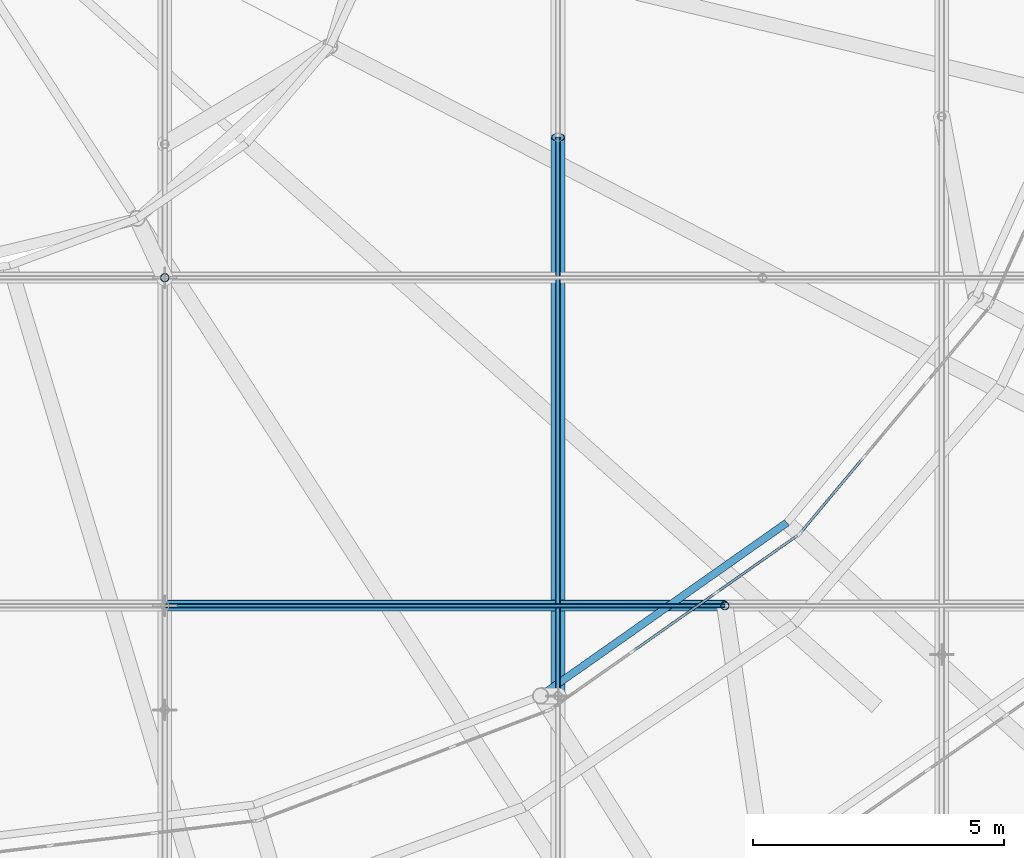
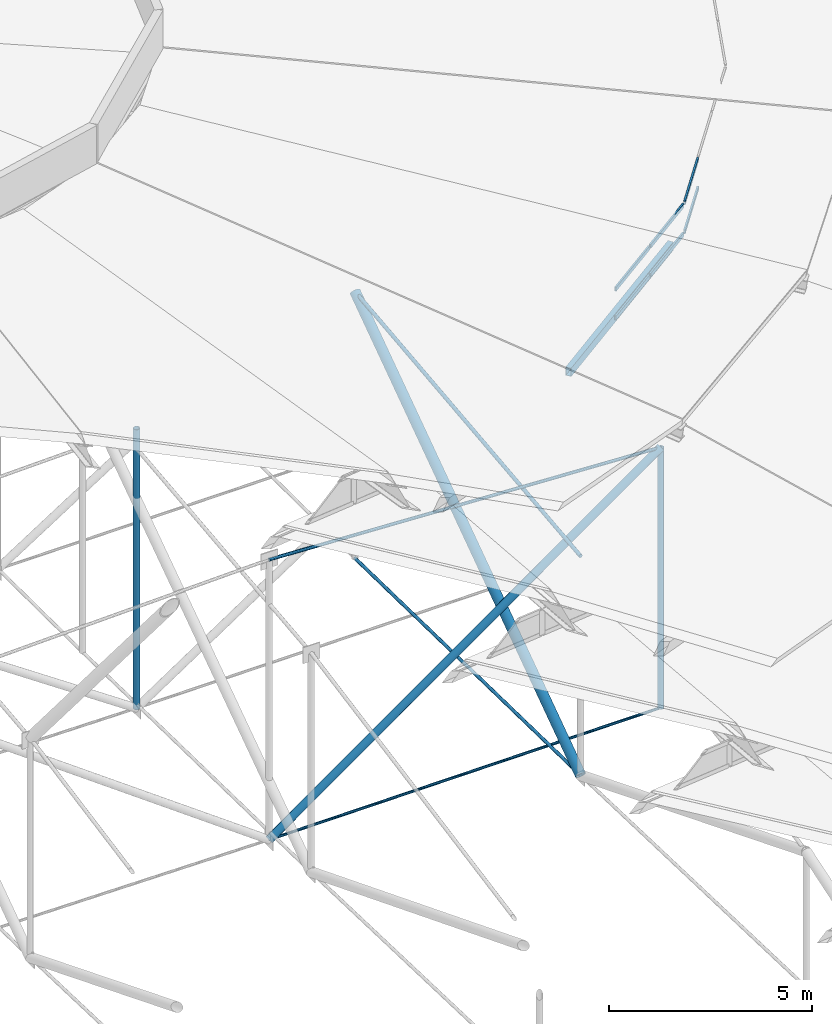
# One storey, part 28 of 173: 15 members, 2 elements without a shape of their own.
"""IFC4 building model written with IfcOpenShell, lengths in metres."""

from ifc_helpers import new_model, si_unit, direction, frame, origin, origin_2d, place, context, subcontext, project, spatial, rectangle, hollow_rectangle, circle, hollow_circle, extrude, material, material_profile, profile_set, type_object, element, aggregate, save


model = new_model("IFC4")

# Units and contexts
model_context = context("Model", 3, precision=1e-05, world=origin(), true_north=direction((0.0, 1.0)))
body_context = subcontext(model_context, "Body", "Model", "MODEL_VIEW")
ifc_project = project(units=[si_unit("LENGTHUNIT", "METRE"), si_unit("AREAUNIT", "SQUARE_METRE"), si_unit("VOLUMEUNIT", "CUBIC_METRE"), si_unit("PLANEANGLEUNIT", "RADIAN"), si_unit("MASSUNIT", "GRAM", prefix="KILO")], contexts=[model_context])

# Site, building, storey
site_placement = place(None, origin())
site = spatial("IfcSite", under=ifc_project, at=site_placement, CompositionType="ELEMENT")
building_placement = place(site_placement, origin())
building = spatial("IfcBuilding", under=site, at=building_placement, Name="Glasvene Arena", CompositionType="ELEMENT")
storey_placement = place(building_placement, frame((0.0, 0.0, 28.800048828125)))
storey = spatial("IfcBuildingStorey", under=building, at=storey_placement, Name="RF", CompositionType="ELEMENT", Elevation=28.800048828125)

# Curtain wall, members
ifc_material_1 = material(Name="Low-emissivity laminated double glazing", Category="glass")
curtain_wall_type_1 = type_object("IfcCurtainWallType", Name="CW-PET4-608x92", PredefinedType="USERDEFINED", material=ifc_material_1)
curtain_wall_1_placement = place(storey_placement, frame((99.64990234375, 50.497314453125, 0.0)))
curtain_wall_1 = element("IfcCurtainWall", 1, at=curtain_wall_1_placement, inside=storey, type_object=curtain_wall_type_1, Name="Petal ring 4-5 clerestory curtain wall 21", ObjectType="CURTAIN WALL", PredefinedType="USERDEFINED")
ifc_material_2 = material(Name="Anodised architectural aluminium", Category="aluminium")
ifc_material_profile_1 = material_profile(ifc_material_2, rectangle(XDim=0.050048828125, YDim=0.1201171875, at=origin_2d()), Name="ALU TRANSOM 50x120")
ifc_profile_set_1 = profile_set([ifc_material_profile_1], Name="Anodised architectural aluminium")
member_type_1 = type_object("IfcMemberType", Name="CW-TRN-120", PredefinedType="USERDEFINED", material=ifc_profile_set_1)
member_1_placement = place(storey_placement, frame((101.327392578125, 51.67724609375, 10.554931640625), z_axis=(0.817911950472, 0.575343411603, 0.0), x_axis=(-0.575343411603, 0.817911950472, 0.0)))
member_1 = element("IfcMember", 2, at=member_1_placement, type_object=member_type_1, Name="CW-102 transom 2.1", ObjectType="TRANSOM", PredefinedType="USERDEFINED", context=body_context, shape_type="SweptSolid", body=[
    extrude(rectangle(XDim=0.050048828125, YDim=0.1201171875, at=origin_2d()), origin(), (0.0, 0.0, 1.0), 1.975830078125),
])
member_2_placement = place(storey_placement, frame((101.327392578125, 51.67724609375, 11.4208984375), z_axis=(0.817911950472, 0.575343411603, 0.0), x_axis=(-0.575343411603, 0.817911950472, 0.0)))
member_2 = element("IfcMember", 3, at=member_2_placement, type_object=member_type_1, Name="CW-102 transom 2.2", ObjectType="TRANSOM", PredefinedType="USERDEFINED", context=body_context, shape_type="SweptSolid", body=[
    extrude(rectangle(XDim=0.050048828125, YDim=0.1201171875, at=origin_2d()), origin(), (0.0, 0.0, 1.0), 1.975830078125),
])
member_3_placement = place(storey_placement, frame((102.984130859375, 52.842529296875, 10.554931640625), z_axis=(0.81790676282, 0.575350786333, 0.0), x_axis=(-0.575350786333, 0.81790676282, 0.0)))
member_3 = element("IfcMember", 4, at=member_3_placement, type_object=member_type_1, Name="CW-102 transom 3.1", ObjectType="TRANSOM", PredefinedType="USERDEFINED", context=body_context, shape_type="SweptSolid", body=[
    extrude(rectangle(XDim=0.050048828125, YDim=0.1201171875, at=origin_2d()), origin(), (0.0, 0.0, 1.0), 1.95068359375),
])
member_4_placement = place(storey_placement, frame((102.984130859375, 52.842529296875, 11.4208984375), z_axis=(0.81790676282, 0.575350786333, 0.0), x_axis=(-0.575350786333, 0.81790676282, 0.0)))
member_4 = element("IfcMember", 5, at=member_4_placement, type_object=member_type_1, Name="CW-102 transom 3.2", ObjectType="TRANSOM", PredefinedType="USERDEFINED", context=body_context, shape_type="SweptSolid", body=[
    extrude(rectangle(XDim=0.050048828125, YDim=0.1201171875, at=origin_2d()), origin(), (0.0, 0.0, 1.0), 1.95068359375),
])
aggregate(curtain_wall_1, [member_1, member_2, member_3, member_4])

curtain_wall_type_2 = type_object("IfcCurtainWallType", Name="CW-PET4-594x92", PredefinedType="USERDEFINED", material=ifc_material_1)
curtain_wall_2_placement = place(storey_placement, frame((104.62060546875, 53.99365234375, 0.0)))
curtain_wall_2 = element("IfcCurtainWall", 6, at=curtain_wall_2_placement, inside=storey, type_object=curtain_wall_type_2, Name="Petal ring 4-5 clerestory curtain wall 22", ObjectType="CURTAIN WALL", PredefinedType="USERDEFINED")
member_5_placement = place(storey_placement, frame((104.652587890625, 54.031982421875, 10.554931640625), z_axis=(0.641896373097, 0.766791396799, 0.0), x_axis=(-0.766791396799, 0.641896373097, 0.0)))
member_5 = element("IfcMember", 7, at=member_5_placement, type_object=member_type_1, Name="CW-101 transom 1.1", ObjectType="TRANSOM", PredefinedType="USERDEFINED", context=body_context, shape_type="SweptSolid", body=[
    extrude(rectangle(XDim=0.050048828125, YDim=0.1201171875, at=origin_2d()), origin(), (0.0, 0.0, 1.0), 1.906005859375),
])
member_6_placement = place(storey_placement, frame((104.652587890625, 54.031982421875, 11.4208984375), z_axis=(0.641896373097, 0.766791396799, 0.0), x_axis=(-0.766791396799, 0.641896373097, 0.0)))
member_6 = element("IfcMember", 8, at=member_6_placement, type_object=member_type_1, Name="CW-101 transom 1.2", ObjectType="TRANSOM", PredefinedType="USERDEFINED", context=body_context, shape_type="SweptSolid", body=[
    extrude(rectangle(XDim=0.050048828125, YDim=0.1201171875, at=origin_2d()), origin(), (0.0, 0.0, 1.0), 1.906005859375),
])
aggregate(curtain_wall_2, [member_5, member_6])

# Members
ifc_material_3 = material(Name="High-strength steel spiral strand S460", Category="steel")
ifc_material_profile_2 = material_profile(ifc_material_3, circle(Radius=0.052490234375, at=origin_2d()), Name="LCSS D105")
ifc_profile_set_2 = profile_set([ifc_material_profile_2], Name="High-strength steel spiral strand S460")
member_type_2 = type_object("IfcMemberType", Name="MB-CABLE-105", PredefinedType="USERDEFINED", material=ifc_profile_set_2)
member_7_placement = place(storey_placement, frame((99.82177734375, 50.777099609375, 4.472900390625), z_axis=(0.0, 0.994050131103, 0.108923536733), x_axis=(-1.0, 0.0, 0.0)))
element("IfcMember", 9, at=member_7_placement, inside=storey, type_object=member_type_2, Name="Upper lens roof cable NS04-03", ObjectType="ROOF CABLE", PredefinedType="USERDEFINED", context=body_context, shape_type="SweptSolid", body=[
    extrude(circle(Radius=0.052490234375, at=origin_2d()), origin(), (0.0, 0.0, 1.0), 11.177734375),
])
ifc_material_profile_3 = material_profile(ifc_material_3, circle(Radius=0.03759765625, at=origin_2d()), Name="LCSS D75")
ifc_profile_set_3 = profile_set([ifc_material_profile_3], Name="High-strength steel spiral strand S460")
member_type_3 = type_object("IfcMemberType", Name="MB-CABLE-75", PredefinedType="USERDEFINED", material=ifc_profile_set_3)
member_8_placement = place(storey_placement, frame((92.0, 52.5703125, -2.400146484375), z_axis=(0.99997909309, 0.0, 0.006466326884), x_axis=(0.0, 1.0, 0.0)))
element("IfcMember", 10, at=member_8_placement, inside=storey, type_object=member_type_3, Name="Lower stabilization roof cable EW01-05", ObjectType="ROOF CABLE", PredefinedType="USERDEFINED", context=body_context, shape_type="SweptSolid", body=[
    extrude(circle(Radius=0.03759765625, at=origin_2d()), origin(), (0.0, 0.0, 1.0), 11.137939453125),
])
ifc_material_profile_4 = material_profile(ifc_material_3, circle(Radius=0.044921875, at=origin_2d()), Name="LCSS D90")
ifc_profile_set_4 = profile_set([ifc_material_profile_4], Name="High-strength steel spiral strand S460")
member_type_4 = type_object("IfcMemberType", Name="MB-CABLE-90", PredefinedType="USERDEFINED", material=ifc_profile_set_4)
member_9_placement = place(storey_placement, frame((99.82177734375, 50.777099609375, -2.112548828125), z_axis=(0.0, 0.999811844471, -0.019397826039), x_axis=(-1.0, 0.0, 0.0)))
element("IfcMember", 11, at=member_9_placement, inside=storey, type_object=member_type_4, Name="Lower stabilization roof cable NS04-03", ObjectType="ROOF CABLE", PredefinedType="USERDEFINED", context=body_context, shape_type="SweptSolid", body=[
    extrude(circle(Radius=0.044921875, at=origin_2d()), origin(), (0.0, 0.0, 1.0), 11.113525390625),
])
member_10_placement = place(storey_placement, frame((92.0, 52.5703125, 6.02001953125), z_axis=(0.998908736057, 0.0, -0.046704785927), x_axis=(0.0, 1.0, 0.0)))
element("IfcMember", 12, at=member_10_placement, inside=storey, type_object=member_type_4, Name="Upper lens roof cable EW01-05", ObjectType="ROOF CABLE", PredefinedType="USERDEFINED", context=body_context, shape_type="SweptSolid", body=[
    extrude(circle(Radius=0.044921875, at=origin_2d()), origin(), (0.0, 0.0, 1.0), 11.14990234375),
])
ifc_material_4 = material(Name="Steel S355J2", Category="steel")
ifc_material_profile_5 = material_profile(ifc_material_4, hollow_rectangle(XDim=0.14990234375, YDim=0.25, WallThickness=0.010009765625, at=origin_2d()), Name="RHS 250x150x10.0")
ifc_profile_set_5 = profile_set([ifc_material_profile_5], Name="Steel S355J2")
member_type_5 = type_object("IfcMemberType", Name="MB-PURLIN-RHS250", PredefinedType="PURLIN", material=ifc_profile_set_5)
member_11_placement = place(storey_placement, frame((99.47509765625, 50.77783203125, 10.1318359375), z_axis=(0.817954216409, 0.57528332138, 0.0), x_axis=(-0.57528332138, 0.817954216409, 0.0)))
element("IfcMember", 13, at=member_11_placement, inside=storey, type_object=member_type_5, Name="Petal ring 4 ridge purlin 21", PredefinedType="PURLIN", context=body_context, shape_type="SweptSolid", body=[
    extrude(hollow_rectangle(XDim=0.14990234375, YDim=0.25, WallThickness=0.010009765625, at=origin_2d()), origin(), (0.0, 0.0, 1.0), 5.988037109375),
])
ifc_material_profile_6 = material_profile(ifc_material_4, hollow_circle(Radius=0.084228515625, WallThickness=0.008056640625, at=origin_2d()), Name="CHS 168.3x8.0")
ifc_profile_set_6 = profile_set([ifc_material_profile_6], Name="Steel S355J2")
member_type_6 = type_object("IfcMemberType", Name="MB-WEB-CHS168", PredefinedType="BRACE", material=ifc_profile_set_6)
member_12_placement = place(storey_placement, frame((103.1376953125, 52.5703125, -2.328125), z_axis=(0.0, 0.0, 1.0), x_axis=(1.0, 0.0, 0.0)))
element("IfcMember", 14, at=member_12_placement, inside=storey, type_object=member_type_6, Name="Cable-truss vertical strut EW01-05", PredefinedType="BRACE", context=body_context, shape_type="SweptSolid", body=[
    extrude(hollow_circle(Radius=0.084228515625, WallThickness=0.008056640625, at=origin_2d()), origin(), (0.0, 0.0, 1.0), 7.827392578125),
])
member_13_placement = place(storey_placement, frame((92.0, 59.09423828125, -2.400146484375), z_axis=(0.0, 0.0, 1.0), x_axis=(1.0, 0.0, 0.0)))
element("IfcMember", 15, at=member_13_placement, inside=storey, type_object=member_type_6, Name="Cable-truss vertical strut EW02-04", PredefinedType="BRACE", context=body_context, shape_type="SweptSolid", body=[
    extrude(hollow_circle(Radius=0.084228515625, WallThickness=0.008056640625, at=origin_2d()), origin(), (0.0, 0.0, 1.0), 8.420166015625),
])
ifc_material_profile_7 = material_profile(ifc_material_4, hollow_circle(Radius=0.109619140625, WallThickness=0.010009765625, at=origin_2d()), Name="CHS 219.1x10.0")
ifc_profile_set_7 = profile_set([ifc_material_profile_7], Name="Steel S355J2")
member_type_7 = type_object("IfcMemberType", Name="MB-WEB-CHS219", PredefinedType="BRACE", material=ifc_profile_set_7)
member_14_placement = place(storey_placement, frame((92.0, 52.5703125, -2.400146484375), z_axis=(0.815671530747, 0.0, 0.578515301378), x_axis=(0.0, 1.0, 0.0)))
element("IfcMember", 16, at=member_14_placement, inside=storey, type_object=member_type_7, Name="Cable-truss diagonal web strut EW01-05", PredefinedType="BRACE", context=body_context, shape_type="SweptSolid", body=[
    extrude(hollow_circle(Radius=0.109619140625, WallThickness=0.010009765625, at=origin_2d()), origin(), (0.0, 0.0, 1.0), 13.654541015625),
])
ifc_material_profile_8 = material_profile(ifc_material_4, hollow_circle(Radius=0.136474609375, WallThickness=0.012451171875, at=origin_2d()), Name="CHS 273.0x12.5")
ifc_profile_set_8 = profile_set([ifc_material_profile_8], Name="Steel S355J2")
member_type_8 = type_object("IfcMemberType", Name="MB-WEB-CHS273", PredefinedType="BRACE", material=ifc_profile_set_8)
member_15_placement = place(storey_placement, frame((99.82177734375, 50.777099609375, -2.112548828125), z_axis=(0.0, 0.818364262746, 0.574699863808), x_axis=(-1.0, 0.0, 0.0)))
element("IfcMember", 17, at=member_15_placement, inside=storey, type_object=member_type_8, Name="Cable-truss diagonal web strut NS04-03", PredefinedType="BRACE", context=body_context, shape_type="SweptSolid", body=[
    extrude(hollow_circle(Radius=0.136474609375, WallThickness=0.012451171875, at=origin_2d()), origin(), (0.0, 0.0, 1.0), 13.577392578125),
])

save(model, "model.ifc")
